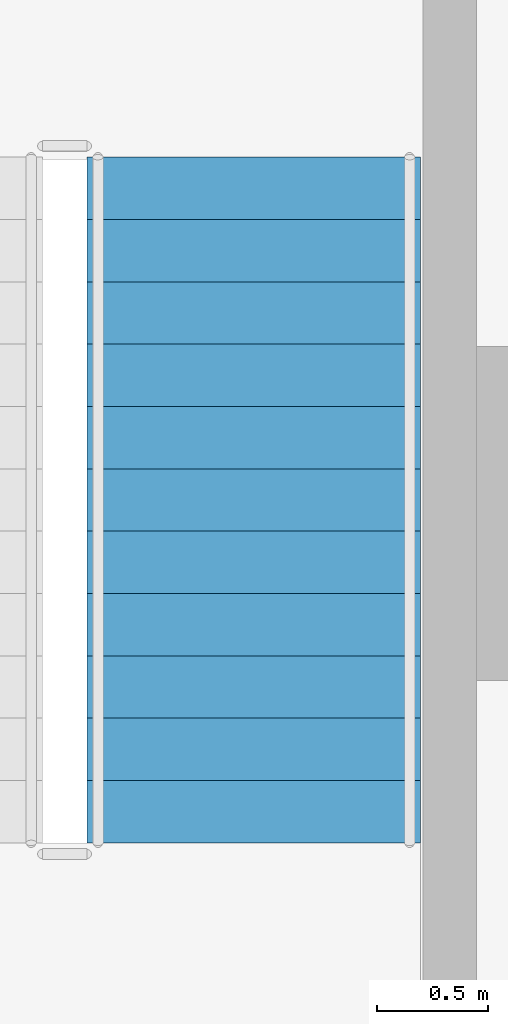
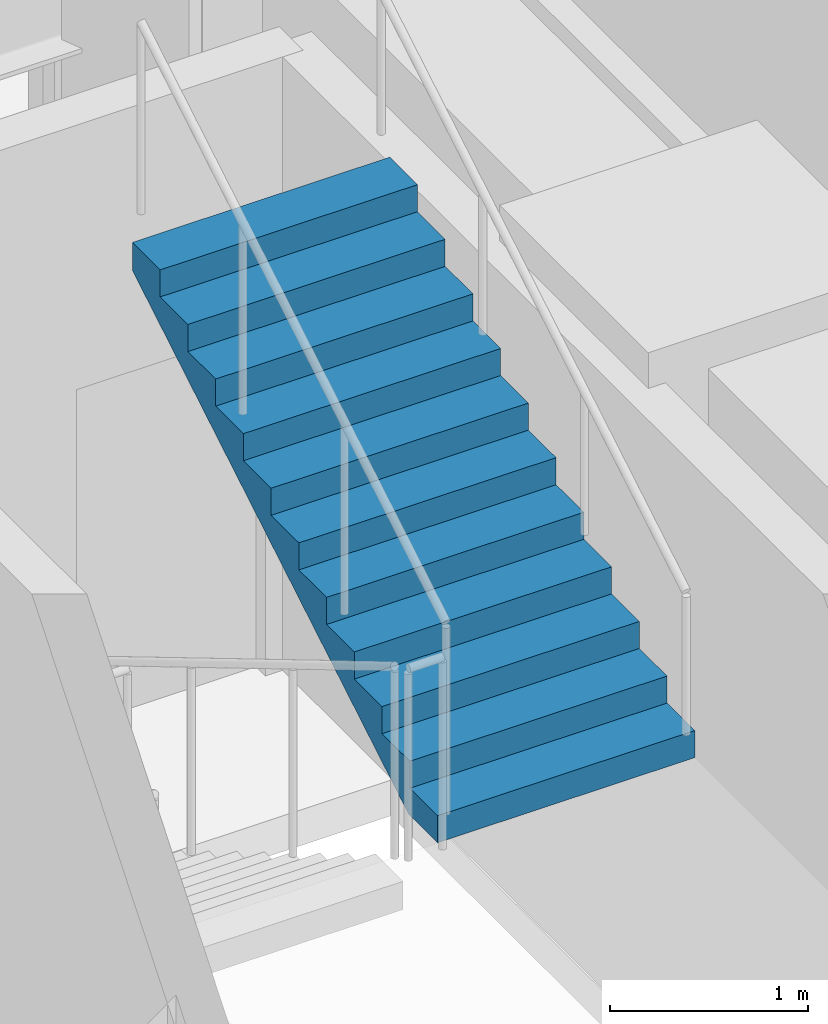
# One storey, part 12 of 16: 1 stair flight, 1 element without a shape of its own.
"""IFC4 building model written with IfcOpenShell, lengths in metres."""

from ifc_helpers import new_model, si_unit, direction, frame, origin, place, context, subcontext, project, spatial, polyline, outline, extrude, material, type_object, element, aggregate, save


model = new_model("IFC4")

# Units and contexts
model_context = context("Model", 3, precision=1e-05, world=origin(), true_north=direction((0.0, 1.0)))
body_context = subcontext(model_context, "Body", "Model", "MODEL_VIEW")
ifc_project = project(units=[si_unit("LENGTHUNIT", "METRE"), si_unit("AREAUNIT", "SQUARE_METRE"), si_unit("VOLUMEUNIT", "CUBIC_METRE"), si_unit("PLANEANGLEUNIT", "RADIAN"), si_unit("MASSUNIT", "GRAM", prefix="KILO")], contexts=[model_context])

# Site, building, storey
site_placement = place(None, origin())
site = spatial("IfcSite", under=ifc_project, at=site_placement, CompositionType="ELEMENT")
building_placement = place(site_placement, origin())
building = spatial("IfcBuilding", under=site, at=building_placement, Name="Gaonmaruhae Medical Tower", CompositionType="ELEMENT")
storey_placement = place(building_placement, frame((0.0, 0.0, 47.0)))
storey = spatial("IfcBuildingStorey", under=building, at=storey_placement, Name="L10", CompositionType="ELEMENT", Elevation=47.0)

# Stair, stair flight
ifc_material = material(Name="Concrete C40/50", Category="concrete")
stair_type = type_object("IfcStairType", Name="ST-T1 Primary Core Escape Dogleg Stair", PredefinedType="TWO_QUARTER_TURN_STAIR", material=ifc_material)
stair_placement = place(storey_placement, origin())
stair = element("IfcStair", 1, at=stair_placement, inside=storey, type_object=stair_type, Name="L10 Protected Escape Stair ST-02", PredefinedType="TWO_QUARTER_TURN_STAIR")
stair_flight_type = type_object("IfcStairFlightType", Name="SF-T1 Primary Core Precast Stair Flight", PredefinedType="STRAIGHT", material=ifc_material)
stair_flight_placement = place(storey_placement, frame((33.949951171875, 10.820068359375, 2.0), z_axis=(0.0, 0.0, 1.0), x_axis=(0.0, 1.0, 0.0)))
stair_flight = element("IfcStairFlight", 2, at=stair_flight_placement, type_object=stair_flight_type, Name="ST-02 flight 2", NumberOfRisers=12, NumberOfTreads=11, PredefinedType="STRAIGHT", RiserHeight=0.166666667, TreadLength=0.28, context=body_context, shape_type="SweptSolid", body=[
    extrude(outline(polyline([(0.0, 0.0), (0.0, 0.166748046875), (0.280029296875, 0.166748046875), (0.280029296875, 0.333251953125), (0.56005859375, 0.333251953125), (0.56005859375, 0.5), (0.840087890625, 0.5), (0.840087890625, 0.666748046875), (1.1201171875, 0.666748046875), (1.1201171875, 0.833251953125), (1.39990234375, 0.833251953125), (1.39990234375, 1.0), (1.679931640625, 1.0), (1.679931640625, 1.166748046875), (1.9599609375, 1.166748046875), (1.9599609375, 1.333251953125), (2.239990234375, 1.333251953125), (2.239990234375, 1.5), (2.52001953125, 1.5), (2.52001953125, 1.666748046875), (2.800048828125, 1.666748046875), (2.800048828125, 1.833251953125), (3.080078125, 1.833251953125), (3.080078125, 2.0), (3.080078125, 1.658935546875), (0.29296875, 0.0), (0.0, 0.0)])), frame((0.0, 0.75, 0.0), z_axis=(0.0, -1.0, 0.0), x_axis=(1.0, 0.0, 0.0)), (0.0, 0.0, 1.0), 1.5),
])
aggregate(stair, [stair_flight])

save(model, "model.ifc")
